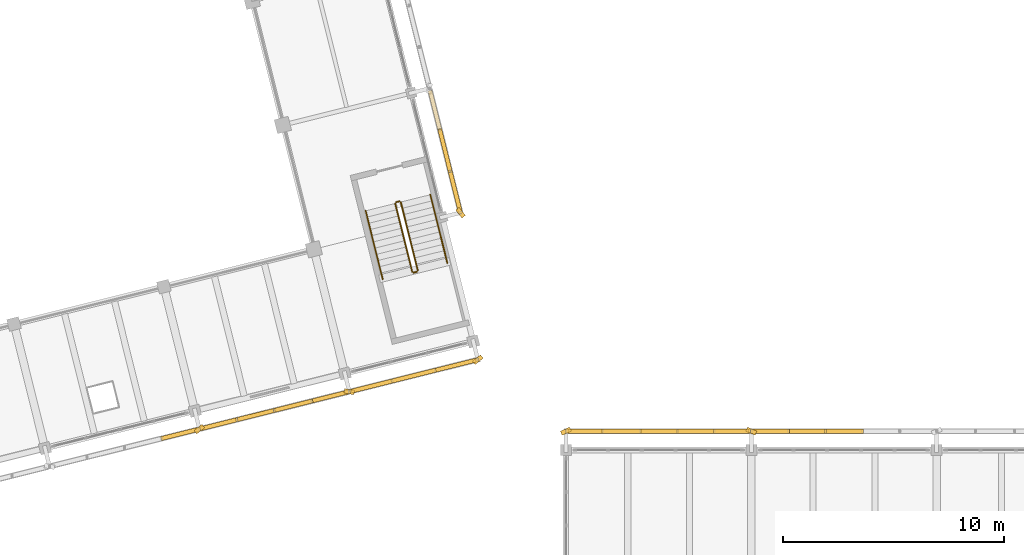
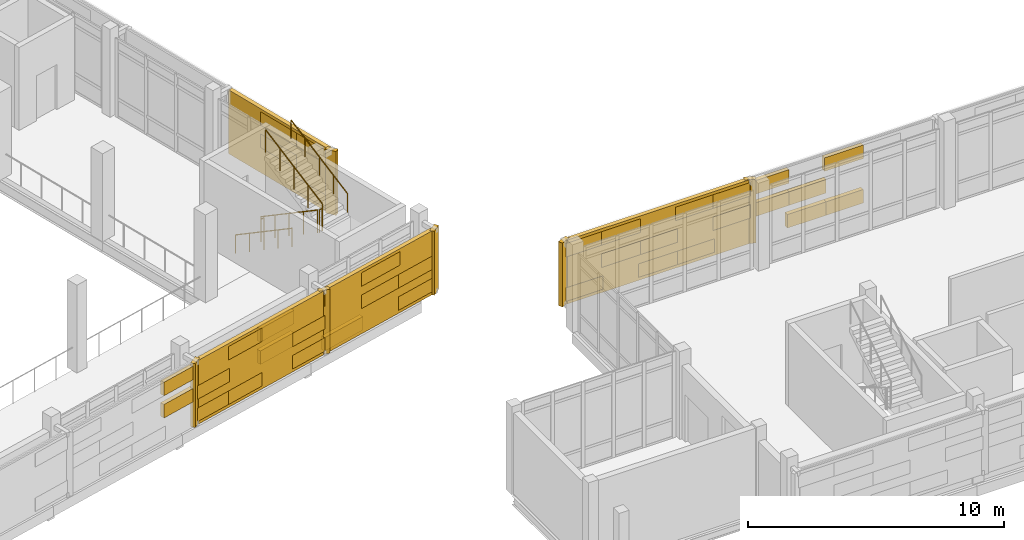
# One storey, part 122 of 137: 42 coverings, 6 railings, 4 shading devices.
"""IFC4 building model written with IfcOpenShell, lengths in metres."""

from ifc_helpers import new_model, si_unit, direction, frame, origin, origin_2d, place, context, subcontext, project, spatial, rectangle, circle, extrude, material, layer, layer_set, type_object, element, save


model = new_model("IFC4")

# Units and contexts
model_context = context("Model", 3, precision=1e-05, world=origin(), true_north=direction((0.0, 1.0)))
body_context = subcontext(model_context, "Body", "Model", "MODEL_VIEW")
ifc_project = project(units=[si_unit("LENGTHUNIT", "METRE"), si_unit("AREAUNIT", "SQUARE_METRE"), si_unit("VOLUMEUNIT", "CUBIC_METRE"), si_unit("PLANEANGLEUNIT", "RADIAN"), si_unit("MASSUNIT", "GRAM", prefix="KILO")], contexts=[model_context])

# Site, building, storey
site_placement = place(None, origin())
site = spatial("IfcSite", under=ifc_project, at=site_placement, CompositionType="ELEMENT")
building_placement = place(site_placement, origin())
building = spatial("IfcBuilding", under=site, at=building_placement, Name="Cinderway Yard Community Centre", CompositionType="ELEMENT")
storey_placement = place(building_placement, frame((0.0, 0.0, 4.800048828125)))
storey = spatial("IfcBuildingStorey", under=building, at=storey_placement, Name="L01", CompositionType="ELEMENT", Elevation=4.800048828125)

# Coverings
ifc_material_1 = material(Name="Brick Masonry", Category="masonry")
ifc_layer = layer(ifc_material_1, 0.18994140625, Name="Brick Masonry")
ifc_layer_set = layer_set([ifc_layer], Name="Brick Masonry")
covering_type = type_object("IfcCoveringType", Name="ENV-COV-BRK-SCREEN", PredefinedType="CLADDING", material=ifc_layer_set)
for number, where, z_axis, x_axis, name in (
    (1, (58.39990234375, 23.64990234375, 0.64990234375), (0.0, 0.0, 1.0), (0.913545457643, 0.406736643076, 0.0), "Deconstructivist folded brick fin 0812"),
    (2, (66.800048828125, 23.64990234375, 0.64990234375), (0.0, 0.0, 1.0), (0.913545457643, -0.406736643076, 0.0), "Deconstructivist folded brick fin 0813"),
):
    element("IfcCovering", number, at=place(storey_placement, frame(where, z_axis=z_axis, x_axis=x_axis)), inside=storey, type_object=covering_type, Name=name, PredefinedType="CLADDING", context=body_context, shape_type="SweptSolid", body=[
        extrude(rectangle(XDim=0.4599609375, YDim=0.199951171875, at=origin_2d()), origin(), (0.0, 0.0, 1.0), 3.050048828125),
    ])
for number, where, z_axis, x_axis, name in (
    (3, (59.239990234375, 23.64990234375, 0.7900390625), (0.0, 0.0, 1.0), (1.0, 0.0, 0.0), "Open-bond perforated brick screen course 00819"),
    (4, (62.60009765625, 23.64990234375, 0.7900390625), (0.0, 0.0, 1.0), (1.0, 0.0, 0.0), "Open-bond perforated brick screen course 00820"),
    (5, (64.280029296875, 23.64990234375, 0.7900390625), (0.0, 0.0, 1.0), (1.0, 0.0, 0.0), "Open-bond perforated brick screen course 00821"),
    (6, (60.919921875, 23.64990234375, 1.85205078125), (0.0, 0.0, 1.0), (1.0, 0.0, 0.0), "Open-bond perforated brick screen course 00822"),
    (7, (62.60009765625, 23.64990234375, 1.85205078125), (0.0, 0.0, 1.0), (1.0, 0.0, 0.0), "Open-bond perforated brick screen course 00823"),
    (8, (65.9599609375, 23.64990234375, 1.85205078125), (0.0, 0.0, 1.0), (1.0, 0.0, 0.0), "Open-bond perforated brick screen course 00824"),
    (9, (59.239990234375, 23.64990234375, 2.9140625), (0.0, 0.0, 1.0), (1.0, 0.0, 0.0), "Open-bond perforated brick screen course 00825"),
    (10, (60.919921875, 23.64990234375, 2.9140625), (0.0, 0.0, 1.0), (1.0, 0.0, 0.0), "Open-bond perforated brick screen course 00826"),
    (11, (64.280029296875, 23.64990234375, 2.9140625), (0.0, 0.0, 1.0), (1.0, 0.0, 0.0), "Open-bond perforated brick screen course 00827"),
    (12, (65.9599609375, 23.64990234375, 2.9140625), (0.0, 0.0, 1.0), (1.0, 0.0, 0.0), "Open-bond perforated brick screen course 00828"),
    (13, (69.320068359375, 23.64990234375, 0.7900390625), (0.0, 0.0, 1.0), (1.0, 0.0, 0.0), "Open-bond perforated brick screen course 00829"),
    (14, (71.0, 23.64990234375, 0.7900390625), (0.0, 0.0, 1.0), (1.0, 0.0, 0.0), "Open-bond perforated brick screen course 00830"),
    (15, (67.639892578125, 23.64990234375, 1.85205078125), (0.0, 0.0, 1.0), (1.0, 0.0, 0.0), "Open-bond perforated brick screen course 00832"),
    (16, (69.320068359375, 23.64990234375, 1.85205078125), (0.0, 0.0, 1.0), (1.0, 0.0, 0.0), "Open-bond perforated brick screen course 00833"),
    (17, (67.639892578125, 23.64990234375, 2.9140625), (0.0, 0.0, 1.0), (1.0, 0.0, 0.0), "Open-bond perforated brick screen course 00836"),
    (18, (71.0, 23.64990234375, 2.9140625), (0.0, 0.0, 1.0), (1.0, 0.0, 0.0), "Open-bond perforated brick screen course 00837"),
):
    element("IfcCovering", number, at=place(storey_placement, frame(where, z_axis=z_axis, x_axis=x_axis)), inside=storey, type_object=covering_type, Name=name, PredefinedType="CLADDING", context=body_context, shape_type="SweptSolid", body=[
        extrude(rectangle(XDim=1.760009765625, YDim=0.18994140625, at=origin_2d()), origin(), (0.0, 0.0, 1.0), 0.64599609375),
    ])
covering_placement = place(storey_placement, frame((53.6240234375, 33.548095703125, 0.64990234375), z_axis=(0.0, 0.0, 1.0), x_axis=(0.615661475326, -0.788010753607, 0.0)))
element("IfcCovering", 19, at=covering_placement, inside=storey, type_object=covering_type, Name="Deconstructivist folded brick fin 1063", PredefinedType="CLADDING", context=body_context, shape_type="SweptSolid", body=[
    extrude(rectangle(XDim=0.4599609375, YDim=0.199951171875, at=origin_2d()), origin(), (0.0, 0.0, 1.0), 3.050048828125),
])
for number, where, z_axis, x_axis, name in (
    (20, (53.389892578125, 34.486083984375, 0.7900390625), (0.0, 0.0, 1.0), (0.2419218956, -0.970295726276, 0.0), "Open-bond perforated brick screen course 01071"),
    (21, (52.922119140625, 36.362060546875, 1.85205078125), (0.0, 0.0, 1.0), (0.2419218956, -0.970295726276, 0.0), "Open-bond perforated brick screen course 01073"),
    (22, (53.389892578125, 34.486083984375, 2.9140625), (0.0, 0.0, 1.0), (0.2419218956, -0.970295726276, 0.0), "Open-bond perforated brick screen course 01075"),
    (23, (52.922119140625, 36.362060546875, 2.9140625), (0.0, 0.0, 1.0), (0.2419218956, -0.970295726276, 0.0), "Open-bond perforated brick screen course 01076"),
):
    element("IfcCovering", number, at=place(storey_placement, frame(where, z_axis=z_axis, x_axis=x_axis)), inside=storey, type_object=covering_type, Name=name, PredefinedType="CLADDING", context=body_context, shape_type="SweptSolid", body=[
        extrude(rectangle(XDim=2.012939453125, YDim=0.18994140625, at=origin_2d()), origin(), (0.0, 0.0, 1.0), 0.64599609375),
    ])
for number, where, z_axis, x_axis, name in (
    (24, (41.794921875, 23.743896484375, 0.64990234375), (0.0, 0.0, 1.0), (-0.788010753607, -0.615661475326, 0.0), "Deconstructivist folded brick fin 1115"),
    (25, (48.5869140625, 25.43798828125, 0.64990234375), (0.0, 0.0, 1.0), (-0.984807753012, 0.173648177667, 0.0), "Deconstructivist folded brick fin 1116"),
    (26, (54.408935546875, 26.888916015625, 0.64990234375), (0.0, 0.0, 1.0), (-0.788010753607, -0.615661475326, 0.0), "Deconstructivist folded brick fin 1117"),
):
    element("IfcCovering", number, at=place(storey_placement, frame(where, z_axis=z_axis, x_axis=x_axis)), inside=storey, type_object=covering_type, Name=name, PredefinedType="CLADDING", context=body_context, shape_type="SweptSolid", body=[
        extrude(rectangle(XDim=0.4599609375, YDim=0.199951171875, at=origin_2d()), origin(), (0.0, 0.0, 1.0), 3.050048828125),
    ])
for number, where, z_axis, x_axis, name in (
    (27, (40.946044921875, 23.531982421875, 1.85205078125), (0.0, 0.0, 1.0), (-0.970295726276, -0.2419218956, 0.0), "Open-bond perforated brick screen course 01130"),
    (28, (40.946044921875, 23.531982421875, 2.9140625), (0.0, 0.0, 1.0), (-0.970295726276, -0.2419218956, 0.0), "Open-bond perforated brick screen course 01133"),
    (29, (42.64404296875, 23.9560546875, 0.7900390625), (0.0, 0.0, 1.0), (-0.970295726276, -0.2419218956, 0.0), "Open-bond perforated brick screen course 01134"),
    (30, (44.342041015625, 24.37890625, 0.7900390625), (0.0, 0.0, 1.0), (-0.970295726276, -0.2419218956, 0.0), "Open-bond perforated brick screen course 01135"),
    (31, (47.738037109375, 25.22607421875, 0.7900390625), (0.0, 0.0, 1.0), (-0.970295726276, -0.2419218956, 0.0), "Open-bond perforated brick screen course 01136"),
    (32, (42.64404296875, 23.9560546875, 1.85205078125), (0.0, 0.0, 1.0), (-0.970295726276, -0.2419218956, 0.0), "Open-bond perforated brick screen course 01137"),
    (33, (46.0400390625, 24.802978515625, 1.85205078125), (0.0, 0.0, 1.0), (-0.970295726276, -0.2419218956, 0.0), "Open-bond perforated brick screen course 01138"),
    (34, (47.738037109375, 25.22607421875, 1.85205078125), (0.0, 0.0, 1.0), (-0.970295726276, -0.2419218956, 0.0), "Open-bond perforated brick screen course 01139"),
    (35, (44.342041015625, 24.37890625, 2.9140625), (0.0, 0.0, 1.0), (-0.970295726276, -0.2419218956, 0.0), "Open-bond perforated brick screen course 01140"),
    (36, (46.0400390625, 24.802978515625, 2.9140625), (0.0, 0.0, 1.0), (-0.970295726276, -0.2419218956, 0.0), "Open-bond perforated brick screen course 01141"),
):
    element("IfcCovering", number, at=place(storey_placement, frame(where, z_axis=z_axis, x_axis=x_axis)), inside=storey, type_object=covering_type, Name=name, PredefinedType="CLADDING", context=body_context, shape_type="SweptSolid", body=[
        extrude(rectangle(XDim=1.830078125, YDim=0.18994140625, at=origin_2d()), origin(), (0.0, 0.0, 1.0), 0.64599609375),
    ])
for number, where, z_axis, x_axis, name in (
    (37, (49.556884765625, 25.679931640625, 0.7900390625), (0.0, 0.0, 1.0), (-0.970295726276, -0.2419218956, 0.0), "Open-bond perforated brick screen course 01142"),
    (38, (53.43896484375, 26.64697265625, 0.7900390625), (0.0, 0.0, 1.0), (-0.970295726276, -0.2419218956, 0.0), "Open-bond perforated brick screen course 01143"),
    (39, (51.498046875, 26.1630859375, 1.85205078125), (0.0, 0.0, 1.0), (-0.970295726276, -0.2419218956, 0.0), "Open-bond perforated brick screen course 01144"),
    (40, (53.43896484375, 26.64697265625, 1.85205078125), (0.0, 0.0, 1.0), (-0.970295726276, -0.2419218956, 0.0), "Open-bond perforated brick screen course 01145"),
    (41, (49.556884765625, 25.679931640625, 2.9140625), (0.0, 0.0, 1.0), (-0.970295726276, -0.2419218956, 0.0), "Open-bond perforated brick screen course 01146"),
    (42, (51.498046875, 26.1630859375, 2.9140625), (0.0, 0.0, 1.0), (-0.970295726276, -0.2419218956, 0.0), "Open-bond perforated brick screen course 01147"),
):
    element("IfcCovering", number, at=place(storey_placement, frame(where, z_axis=z_axis, x_axis=x_axis)), inside=storey, type_object=covering_type, Name=name, PredefinedType="CLADDING", context=body_context, shape_type="SweptSolid", body=[
        extrude(rectangle(XDim=2.080078125, YDim=0.18994140625, at=origin_2d()), origin(), (0.0, 0.0, 1.0), 0.64599609375),
    ])

# Shading devices
shading_device_type_1 = type_object("IfcShadingDeviceType", Name="ENV-SHD-BRICKSCREEN-A", PredefinedType="USERDEFINED", material=ifc_material_1)
shading_device_1_placement = place(storey_placement, frame((62.60009765625, 23.64990234375, 0.64990234375), z_axis=(0.0, 0.0, 1.0), x_axis=(1.0, 0.0, 0.0)))
element("IfcShadingDevice", 43, at=shading_device_1_placement, inside=storey, type_object=shading_device_type_1, Name="V3 Courtyard Perforated Brick Screen 0601", ObjectType="PERFORATED BRICK SCREEN", PredefinedType="USERDEFINED", context=body_context, shape_type="SweptSolid", body=[
    extrude(rectangle(XDim=8.199951171875, YDim=0.18994140625, at=origin_2d()), origin(), (0.0, 0.0, 1.0), 3.050048828125),
])
shading_device_2_placement = place(storey_placement, frame((45.19091796875, 24.591064453125, 0.64990234375), z_axis=(0.0, 0.0, 1.0), x_axis=(-0.970295726276, -0.2419218956, 0.0)))
element("IfcShadingDevice", 44, at=shading_device_2_placement, inside=storey, type_object=shading_device_type_1, Name="Sanctuary South Perforated Brick Screen 0847", ObjectType="PERFORATED BRICK SCREEN", PredefinedType="USERDEFINED", context=body_context, shape_type="SweptSolid", body=[
    extrude(rectangle(XDim=6.800048828125, YDim=0.18994140625, at=origin_2d()), origin(), (0.0, 0.0, 1.0), 3.050048828125),
])
shading_device_type_2 = type_object("IfcShadingDeviceType", Name="ENV-SHD-BRICKSCREEN-B", PredefinedType="USERDEFINED", material=ifc_material_1)
shading_device_3_placement = place(storey_placement, frame((52.922119140625, 36.362060546875, 0.64990234375), z_axis=(0.0, 0.0, 1.0), x_axis=(0.2419218956, -0.970295726276, 0.0)))
element("IfcShadingDevice", 45, at=shading_device_3_placement, inside=storey, type_object=shading_device_type_2, Name="Main Hall Courtyard Perforated Brick Screen 0789", ObjectType="PERFORATED BRICK SCREEN", PredefinedType="USERDEFINED", context=body_context, shape_type="SweptSolid", body=[
    extrude(rectangle(XDim=5.60009765625, YDim=0.18994140625, at=origin_2d()), origin(), (0.0, 0.0, 1.0), 3.050048828125),
])
shading_device_4_placement = place(storey_placement, frame((51.498046875, 26.1630859375, 0.64990234375), z_axis=(0.0, 0.0, 1.0), x_axis=(-0.970295726276, -0.2419218956, 0.0)))
element("IfcShadingDevice", 46, at=shading_device_4_placement, inside=storey, type_object=shading_device_type_2, Name="Sanctuary South Perforated Brick Screen 0853", ObjectType="PERFORATED BRICK SCREEN", PredefinedType="USERDEFINED", context=body_context, shape_type="SweptSolid", body=[
    extrude(rectangle(XDim=5.800048828125, YDim=0.18994140625, at=origin_2d()), origin(), (0.0, 0.0, 1.0), 3.050048828125),
])

# Railings
ifc_material_2 = material(Name="Painted Galvanised Steel", Category="steel")
railing_type_1 = type_object("IfcRailingType", Name="INT-RAL-GRD112", PredefinedType="GUARDRAIL", material=ifc_material_2)
railing_1_placement = place(storey_placement, frame((50.66552734375, 33.96484375, 0.175048828125)))
element("IfcRailing", 47, at=railing_1_placement, inside=storey, type_object=railing_type_1, Name="L01 ST-05 stair guard 1", PredefinedType="GUARDRAIL", context=body_context, shape_type="SweptSolid", body=[
    extrude(circle(Radius=0.02392578125, at=origin_2d()), frame((0.0, 0.0, 1.076171875), z_axis=(0.207136870417, -0.830775464455, 0.516629891289), x_axis=(0.970295374517, 0.241923306424, 0.0)), (0.0, 0.0, 1.0), 3.7255859375),
    extrude(circle(Radius=0.02099609375, at=origin_2d()), origin(), (0.0, 0.0, 1.0), 1.052001953125),
    extrude(circle(Radius=0.02099609375, at=origin_2d()), frame((0.19287109375, -0.77392578125, 0.481201171875)), (0.0, 0.0, 1.0), 1.052001953125),
    extrude(circle(Radius=0.02099609375, at=origin_2d()), frame((0.3857421875, -1.547607421875, 0.96240234375)), (0.0, 0.0, 1.0), 1.052001953125),
    extrude(circle(Radius=0.02099609375, at=origin_2d()), frame((0.578857421875, -2.3212890625, 1.443603515625)), (0.0, 0.0, 1.0), 1.052001953125),
    extrude(circle(Radius=0.02099609375, at=origin_2d()), frame((0.771728515625, -3.09521484375, 1.9248046875)), (0.0, 0.0, 1.0), 1.052001953125),
])
railing_2_placement = place(storey_placement, frame((51.497802734375, 30.833251953125, 2.099853515625)))
element("IfcRailing", 48, at=railing_2_placement, inside=storey, type_object=railing_type_1, Name="L01 ST-05 stair guard 2", PredefinedType="GUARDRAIL", context=body_context, shape_type="SweptSolid", body=[
    extrude(circle(Radius=0.02392578125, at=origin_2d()), frame((0.0, 0.0, 1.076171875), z_axis=(0.970142500145, 0.242535625036, 0.0), x_axis=(-0.242535625036, 0.970142500145, 0.0)), (0.0, 0.0, 1.0), 0.16015625),
    extrude(circle(Radius=0.02099609375, at=origin_2d()), origin(), (0.0, 0.0, 1.0), 1.052001953125),
    extrude(circle(Radius=0.02099609375, at=origin_2d()), frame((0.1552734375, 0.038818359375, 0.0)), (0.0, 0.0, 1.0), 1.052001953125),
])
railing_3_placement = place(storey_placement, frame((51.689453125, 30.9326171875, 2.27490234375)))
element("IfcRailing", 49, at=railing_3_placement, inside=storey, type_object=railing_type_1, Name="L01 ST-05 stair guard 3", PredefinedType="GUARDRAIL", context=body_context, shape_type="SweptSolid", body=[
    extrude(circle(Radius=0.02392578125, at=origin_2d()), frame((0.0, 0.0, 1.076171875), z_axis=(-0.207129857877, 0.830747338868, 0.516677927668), x_axis=(-0.970295374517, -0.241923306424, 0.0)), (0.0, 0.0, 1.0), 3.725830078125),
    extrude(circle(Radius=0.02099609375, at=origin_2d()), origin(), (0.0, 0.0, 1.0), 1.052001953125),
    extrude(circle(Radius=0.02099609375, at=origin_2d()), frame((-0.19287109375, 0.77392578125, 0.481201171875)), (0.0, 0.0, 1.0), 1.052001953125),
    extrude(circle(Radius=0.02099609375, at=origin_2d()), frame((-0.3857421875, 1.547607421875, 0.96240234375)), (0.0, 0.0, 1.0), 1.052001953125),
    extrude(circle(Radius=0.02099609375, at=origin_2d()), frame((-0.578857421875, 2.3212890625, 1.44384765625)), (0.0, 0.0, 1.0), 1.052001953125),
    extrude(circle(Radius=0.02099609375, at=origin_2d()), frame((-0.771728515625, 3.09521484375, 1.925048828125)), (0.0, 0.0, 1.0), 1.052001953125),
])
railing_4_placement = place(storey_placement, frame((50.701904296875, 34.025634765625, 0.0)))
element("IfcRailing", 50, at=railing_4_placement, inside=storey, type_object=railing_type_1, Name="L01 ST-05 stair guard 4", PredefinedType="GUARDRAIL", context=body_context, shape_type="SweptSolid", body=[
    extrude(circle(Radius=0.02392578125, at=origin_2d()), frame((0.0, 0.0, 1.076171875), z_axis=(0.970500482778, 0.241099176539, 0.0), x_axis=(-0.241099176539, 0.970500482778, 0.0)), (0.0, 0.0, 1.0), 0.159912109375),
    extrude(circle(Radius=0.02099609375, at=origin_2d()), origin(), (0.0, 0.0, 1.0), 1.052001953125),
    extrude(circle(Radius=0.02099609375, at=origin_2d()), frame((0.1552734375, 0.03857421875, 0.0)), (0.0, 0.0, 1.0), 1.052001953125),
])
railing_type_2 = type_object("IfcRailingType", Name="INT-RAL-HND090", PredefinedType="HANDRAIL", material=ifc_material_2)
railing_5_placement = place(storey_placement, frame((49.32666015625, 33.631103515625, 0.175048828125)))
element("IfcRailing", 51, at=railing_5_placement, inside=storey, type_object=railing_type_2, Name="L01 ST-05 stair handrail 1", PredefinedType="HANDRAIL", context=body_context, shape_type="SweptSolid", body=[
    extrude(circle(Radius=0.02392578125, at=origin_2d()), frame((0.0, 0.0, 0.8759765625), z_axis=(0.207136870417, -0.830775464455, 0.516629891289), x_axis=(0.970295374517, 0.241923306424, 0.0)), (0.0, 0.0, 1.0), 3.7255859375),
    extrude(circle(Radius=0.02099609375, at=origin_2d()), origin(), (0.0, 0.0, 1.0), 0.851806640625),
    extrude(circle(Radius=0.02099609375, at=origin_2d()), frame((0.19287109375, -0.77392578125, 0.481201171875)), (0.0, 0.0, 1.0), 0.851806640625),
    extrude(circle(Radius=0.02099609375, at=origin_2d()), frame((0.3857421875, -1.547607421875, 0.96240234375)), (0.0, 0.0, 1.0), 0.851806640625),
    extrude(circle(Radius=0.02099609375, at=origin_2d()), frame((0.578857421875, -2.3212890625, 1.443603515625)), (0.0, 0.0, 1.0), 0.851806640625),
    extrude(circle(Radius=0.02099609375, at=origin_2d()), frame((0.771728515625, -3.09521484375, 1.9248046875)), (0.0, 0.0, 1.0), 0.851806640625),
])
railing_6_placement = place(storey_placement, frame((53.028564453125, 31.266357421875, 2.27490234375)))
element("IfcRailing", 52, at=railing_6_placement, inside=storey, type_object=railing_type_2, Name="L01 ST-05 stair handrail 2", PredefinedType="HANDRAIL", context=body_context, shape_type="SweptSolid", body=[
    extrude(circle(Radius=0.02392578125, at=origin_2d()), frame((0.0, 0.0, 0.8759765625), z_axis=(-0.207129857877, 0.830747338868, 0.516677927668), x_axis=(-0.970295374517, -0.241923306424, 0.0)), (0.0, 0.0, 1.0), 3.725830078125),
    extrude(circle(Radius=0.02099609375, at=origin_2d()), origin(), (0.0, 0.0, 1.0), 0.851806640625),
    extrude(circle(Radius=0.02099609375, at=origin_2d()), frame((-0.19287109375, 0.77392578125, 0.481201171875)), (0.0, 0.0, 1.0), 0.851806640625),
    extrude(circle(Radius=0.02099609375, at=origin_2d()), frame((-0.3857421875, 1.547607421875, 0.96240234375)), (0.0, 0.0, 1.0), 0.851806640625),
    extrude(circle(Radius=0.02099609375, at=origin_2d()), frame((-0.578857421875, 2.3212890625, 1.44384765625)), (0.0, 0.0, 1.0), 0.851806640625),
    extrude(circle(Radius=0.02099609375, at=origin_2d()), frame((-0.771728515625, 3.09521484375, 1.925048828125)), (0.0, 0.0, 1.0), 0.851806640625),
])

save(model, "model.ifc")
